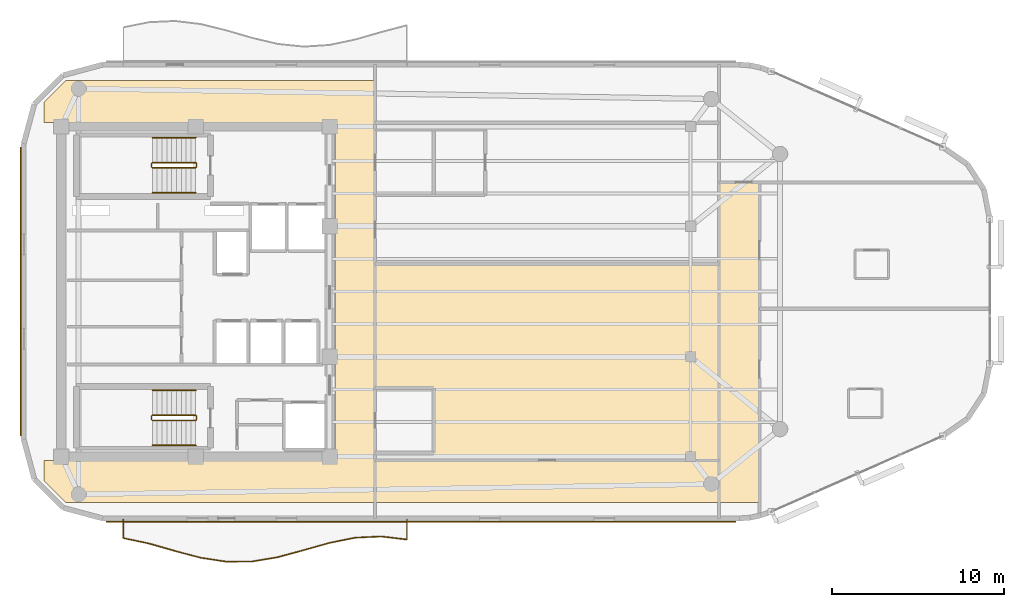
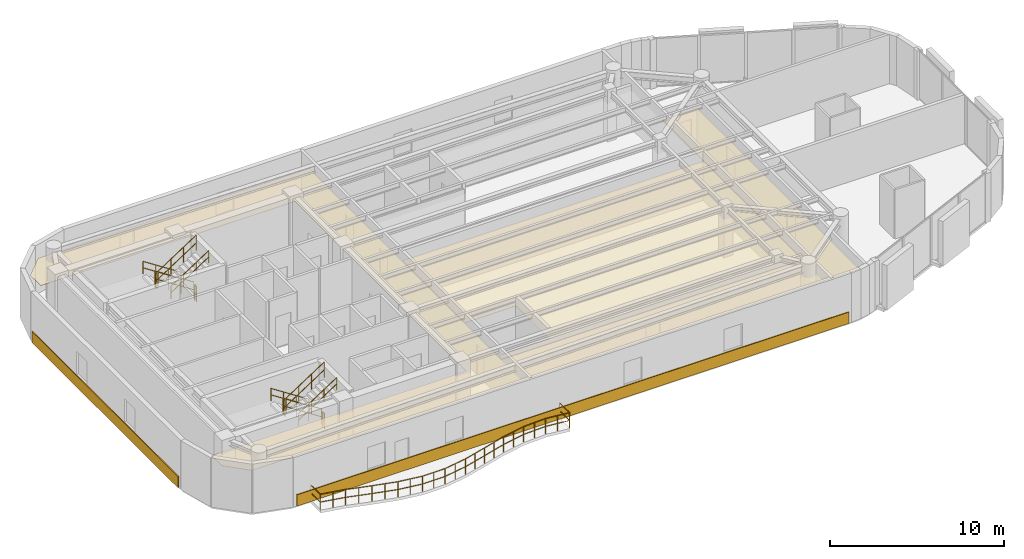
# One storey, part 11 of 12: 13 railings, 4 coverings.
"""IFC4 building model written with IfcOpenShell, lengths in metres."""

from ifc_helpers import new_model, si_unit, direction, frame, origin, origin_2d, place, context, subcontext, project, spatial, polyline, rectangle, circle, outline, extrude, material, layer, layer_set, type_object, element, save


model = new_model("IFC4")

# Units and contexts
model_context = context("Model", 3, precision=1e-05, world=origin(), true_north=direction((0.0, 1.0)))
body_context = subcontext(model_context, "Body", "Model", "MODEL_VIEW")
ifc_project = project(units=[si_unit("LENGTHUNIT", "METRE"), si_unit("AREAUNIT", "SQUARE_METRE"), si_unit("VOLUMEUNIT", "CUBIC_METRE"), si_unit("PLANEANGLEUNIT", "RADIAN"), si_unit("MASSUNIT", "GRAM", prefix="KILO")], contexts=[model_context])

# Site, building, storey
site_placement = place(None, origin())
site = spatial("IfcSite", under=ifc_project, at=site_placement, CompositionType="ELEMENT")
building_placement = place(site_placement, origin())
building = spatial("IfcBuilding", under=site, at=building_placement, Name="An Khanh Terracotta Commons", CompositionType="ELEMENT")
storey_placement = place(building_placement, frame((0.0, 0.0, 262.449951171875)))
storey = spatial("IfcBuildingStorey", under=building, at=storey_placement, Name="L68", CompositionType="ELEMENT", Elevation=262.449951171875)

# Coverings
ifc_material_1 = material(Name="Perforated Mineral-Fibre Acoustic Tile")
ifc_layer_1 = layer(ifc_material_1, 0.02001953125, Name="Perforated Mineral-Fibre Acoustic Tile")
ifc_layer_set_1 = layer_set([ifc_layer_1], Name="Perforated Mineral-Fibre Acoustic Tile")
covering_type_1 = type_object("IfcCoveringType", Name="CEIL-ACOUSTIC-18", PredefinedType="CEILING", material=ifc_layer_set_1)
covering_1_placement = place(storey_placement, frame((0.0, 0.0, 2.650146484375)))
element("IfcCovering", 1, at=covering_1_placement, inside=storey, type_object=covering_type_1, Name="L68 Corridor Ceiling", PredefinedType="CEILING", context=body_context, shape_type="SweptSolid", body=[
    extrude(outline(polyline([(59.85009765625, 30.35009765625), (62.199951171875, 30.35009765625), (62.199951171875, 14.179931640625), (62.199951171875, 11.719970703125), (59.85009765625, 11.719970703125), (39.85009765625, 11.719970703125), (37.5, 11.719970703125), (21.84912109375, 11.719970703125), (20.60009765625, 12.968994140625), (20.60009765625, 14.179931640625), (37.5, 14.179931640625), (37.5, 33.820068359375), (20.60009765625, 33.820068359375), (20.60009765625, 35.031005859375), (21.84912109375, 36.280029296875), (37.5, 36.280029296875), (39.85009765625, 36.280029296875), (39.85009765625, 33.820068359375), (39.85009765625, 14.179931640625), (59.85009765625, 14.179931640625), (59.85009765625, 30.35009765625)])), origin(), (0.0, 0.0, 1.0), 0.02001953125),
])
covering_2_placement = place(storey_placement, frame((0.0, 0.0, 2.650146484375)))
element("IfcCovering", 2, at=covering_2_placement, inside=storey, type_object=covering_type_1, Name="L68 Riverfront Reading Hall Ceiling", PredefinedType="CEILING", context=body_context, shape_type="SweptSolid", body=[
    extrude(outline(polyline([(59.85009765625, 14.179931640625), (39.85009765625, 14.179931640625), (39.85009765625, 14.60009765625), (43.25, 14.60009765625), (43.25, 18.39990234375), (39.85009765625, 18.39990234375), (39.85009765625, 25.60009765625), (59.85009765625, 25.60009765625), (59.85009765625, 14.179931640625)])), origin(), (0.0, 0.0, 1.0), 0.02001953125),
])
ifc_material_2 = material(Name="Fired Terracotta Rainscreen Cladding", Category="masonry")
ifc_layer_2 = layer(ifc_material_2, 0.06005859375, Name="Fired Terracotta Rainscreen Cladding")
ifc_layer_set_2 = layer_set([ifc_layer_2], Name="Fired Terracotta Rainscreen Cladding")
covering_type_2 = type_object("IfcCoveringType", Name="COV-SPANDREL-TERRA", PredefinedType="CLADDING", material=ifc_layer_set_2)
covering_3_placement = place(storey_placement, frame((42.514892578125, 10.6201171875, 0.02001953125), z_axis=(0.0, 0.0, 1.0), x_axis=(1.0, 0.0, 0.0)))
element("IfcCovering", 3, at=covering_3_placement, inside=storey, type_object=covering_type_2, Name="L68 Terracotta Spandrel Cladding 4", PredefinedType="CLADDING", context=body_context, shape_type="SweptSolid", body=[
    extrude(rectangle(XDim=36.6298828125, YDim=0.06005859375, at=origin_2d()), origin(), (0.0, 0.0, 1.0), 0.800048828125),
])
covering_4_placement = place(storey_placement, frame((19.219970703125, 24.0, 0.02001953125), z_axis=(0.0, 0.0, 1.0), x_axis=(0.0, -1.0, 0.0)))
element("IfcCovering", 4, at=covering_4_placement, inside=storey, type_object=covering_type_2, Name="L68 Terracotta Spandrel Cladding 24", PredefinedType="CLADDING", context=body_context, shape_type="SweptSolid", body=[
    extrude(rectangle(XDim=16.800048828125, YDim=0.06005859375, at=origin_2d()), origin(), (0.0, 0.0, 1.0), 0.800048828125),
])

# Railings
ifc_material_3 = material(Name="Brushed Stainless Steel 316", Category="steel")
railing_type_1 = type_object("IfcRailingType", Name="RAIL-BALUSTRADE-1100", PredefinedType="BALUSTRADE", material=ifc_material_3)
railing_1_placement = place(storey_placement, frame((25.199951171875, 10.739990234375, 0.0)))
element("IfcRailing", 5, at=railing_1_placement, inside=storey, type_object=railing_type_1, Name="L68 S Wave Balcony Guard Balustrade", PredefinedType="BALUSTRADE", context=body_context, shape_type="SweptSolid", body=[
    extrude(circle(Radius=0.02392578125, at=origin_2d()), frame((0.0, 0.0, 1.076171875), z_axis=(0.0, -1.0, 0.0), x_axis=(1.0, 0.0, 0.0)), (0.0, 0.0, 1.0), 1.080078125),
    extrude(circle(Radius=0.02392578125, at=origin_2d()), frame((0.0, 0.0, 0.52587890625), z_axis=(0.0, -1.0, 0.0), x_axis=(1.0, 0.0, 0.0)), (0.0, 0.0, 1.0), 1.080078125),
    extrude(circle(Radius=0.02392578125, at=origin_2d()), frame((0.0, -1.080078125, 1.076171875), z_axis=(0.978275241205, -0.207310280607, 0.0), x_axis=(0.207310280607, 0.978275241205, 0.0)), (0.0, 0.0, 1.0), 1.533203125),
    extrude(circle(Radius=0.02392578125, at=origin_2d()), frame((0.0, -1.080078125, 0.52587890625), z_axis=(0.978275241205, -0.207310280607, 0.0), x_axis=(0.207310280607, 0.978275241205, 0.0)), (0.0, 0.0, 1.0), 1.533203125),
    extrude(circle(Radius=0.02392578125, at=origin_2d()), frame((1.5, -1.39794921875, 1.076171875), z_axis=(0.961293347262, -0.275526950607, 0.0), x_axis=(0.275526950607, 0.961293347262, 0.0)), (0.0, 0.0, 1.0), 1.560302734375),
    extrude(circle(Radius=0.02392578125, at=origin_2d()), frame((1.5, -1.39794921875, 0.52587890625), z_axis=(0.961293347262, -0.275526950607, 0.0), x_axis=(0.275526950607, 0.961293347262, 0.0)), (0.0, 0.0, 1.0), 1.560302734375),
    extrude(circle(Radius=0.02392578125, at=origin_2d()), frame((3.0, -1.827880859375, 1.076171875), z_axis=(0.966680039045, -0.255987699142, 0.0), x_axis=(0.255987699142, 0.966680039045, 0.0)), (0.0, 0.0, 1.0), 1.5517578125),
    extrude(circle(Radius=0.02392578125, at=origin_2d()), frame((3.0, -1.827880859375, 0.52587890625), z_axis=(0.966680039045, -0.255987699142, 0.0), x_axis=(0.255987699142, 0.966680039045, 0.0)), (0.0, 0.0, 1.0), 1.5517578125),
    extrude(circle(Radius=0.02392578125, at=origin_2d()), frame((4.5, -2.22509765625, 1.076171875), z_axis=(0.988545890906, -0.15092058035, 0.0), x_axis=(0.15092058035, 0.988545890906, 0.0)), (0.0, 0.0, 1.0), 1.517333984375),
    extrude(circle(Radius=0.02392578125, at=origin_2d()), frame((4.5, -2.22509765625, 0.52587890625), z_axis=(0.988545890906, -0.15092058035, 0.0), x_axis=(0.15092058035, 0.988545890906, 0.0)), (0.0, 0.0, 1.0), 1.517333984375),
    extrude(circle(Radius=0.02392578125, at=origin_2d()), frame((6.0, -2.4541015625, 1.076171875), z_axis=(0.999955445195, 0.009439683565, 0.0), x_axis=(-0.009439683565, 0.999955445195, 0.0)), (0.0, 0.0, 1.0), 1.5),
    extrude(circle(Radius=0.02392578125, at=origin_2d()), frame((6.0, -2.4541015625, 0.52587890625), z_axis=(0.999955445195, 0.009439683565, 0.0), x_axis=(-0.009439683565, 0.999955445195, 0.0)), (0.0, 0.0, 1.0), 1.5),
    extrude(circle(Radius=0.02392578125, at=origin_2d()), frame((7.5, -2.43994140625, 1.076171875), z_axis=(0.986079829755, 0.16627257546, 0.0), x_axis=(-0.16627257546, 0.986079829755, 0.0)), (0.0, 0.0, 1.0), 1.521240234375),
    extrude(circle(Radius=0.02392578125, at=origin_2d()), frame((7.5, -2.43994140625, 0.52587890625), z_axis=(0.986079829755, 0.16627257546, 0.0), x_axis=(-0.16627257546, 0.986079829755, 0.0)), (0.0, 0.0, 1.0), 1.521240234375),
    extrude(circle(Radius=0.02392578125, at=origin_2d()), frame((9.0, -2.18701171875, 1.076171875), z_axis=(0.964948425307, 0.262439586375, 0.0), x_axis=(-0.262439586375, 0.964948425307, 0.0)), (0.0, 0.0, 1.0), 1.554443359375),
    extrude(circle(Radius=0.02392578125, at=origin_2d()), frame((9.0, -2.18701171875, 0.52587890625), z_axis=(0.964948425307, 0.262439586375, 0.0), x_axis=(-0.262439586375, 0.964948425307, 0.0)), (0.0, 0.0, 1.0), 1.554443359375),
    extrude(circle(Radius=0.02392578125, at=origin_2d()), frame((10.5, -1.779052734375, 1.076171875), z_axis=(0.962282666556, 0.272051593719, 0.0), x_axis=(-0.272051593719, 0.962282666556, 0.0)), (0.0, 0.0, 1.0), 1.558837890625),
    extrude(circle(Radius=0.02392578125, at=origin_2d()), frame((10.5, -1.779052734375, 0.52587890625), z_axis=(0.962282666556, 0.272051593719, 0.0), x_axis=(-0.272051593719, 0.962282666556, 0.0)), (0.0, 0.0, 1.0), 1.558837890625),
    extrude(circle(Radius=0.02392578125, at=origin_2d()), frame((12.0, -1.35498046875, 1.076171875), z_axis=(0.980819402607, 0.194918699639, 0.0), x_axis=(-0.194918699639, 0.980819402607, 0.0)), (0.0, 0.0, 1.0), 1.529296875),
    extrude(circle(Radius=0.02392578125, at=origin_2d()), frame((12.0, -1.35498046875, 0.52587890625), z_axis=(0.980819402607, 0.194918699639, 0.0), x_axis=(-0.194918699639, 0.980819402607, 0.0)), (0.0, 0.0, 1.0), 1.529296875),
    extrude(circle(Radius=0.02392578125, at=origin_2d()), frame((13.5, -1.056884765625, 1.076171875), z_axis=(0.998887913276, 0.047148029761, 0.0), x_axis=(-0.047148029761, 0.998887913276, 0.0)), (0.0, 0.0, 1.0), 1.501708984375),
    extrude(circle(Radius=0.02392578125, at=origin_2d()), frame((13.5, -1.056884765625, 0.52587890625), z_axis=(0.998887913276, 0.047148029761, 0.0), x_axis=(-0.047148029761, 0.998887913276, 0.0)), (0.0, 0.0, 1.0), 1.501708984375),
    extrude(circle(Radius=0.02392578125, at=origin_2d()), frame((15.0, -0.986083984375, 1.076171875), z_axis=(0.99288219023, -0.11910061429, 0.0), x_axis=(0.11910061429, 0.99288219023, 0.0)), (0.0, 0.0, 1.0), 1.5107421875),
    extrude(circle(Radius=0.02392578125, at=origin_2d()), frame((15.0, -0.986083984375, 0.52587890625), z_axis=(0.99288219023, -0.11910061429, 0.0), x_axis=(0.11910061429, 0.99288219023, 0.0)), (0.0, 0.0, 1.0), 1.5107421875),
    extrude(circle(Radius=0.02392578125, at=origin_2d()), frame((16.5, -1.166015625, 1.076171875), z_axis=(0.0, 1.0, 0.0), x_axis=(-1.0, 0.0, 0.0)), (0.0, 0.0, 1.0), 1.166015625),
    extrude(circle(Radius=0.02392578125, at=origin_2d()), frame((16.5, -1.166015625, 0.52587890625), z_axis=(0.0, 1.0, 0.0), x_axis=(-1.0, 0.0, 0.0)), (0.0, 0.0, 1.0), 1.166015625),
    extrude(circle(Radius=0.02099609375, at=origin_2d()), origin(), (0.0, 0.0, 1.0), 1.052001953125),
    extrude(circle(Radius=0.02099609375, at=origin_2d()), frame((0.0, -1.080078125, 0.0)), (0.0, 0.0, 1.0), 1.052001953125),
    extrude(circle(Radius=0.02099609375, at=origin_2d()), frame((0.75, -1.239013671875, 0.0)), (0.0, 0.0, 1.0), 1.052001953125),
    extrude(circle(Radius=0.02099609375, at=origin_2d()), frame((1.5, -1.39794921875, 0.0)), (0.0, 0.0, 1.0), 1.052001953125),
    extrude(circle(Radius=0.02099609375, at=origin_2d()), frame((2.25, -1.61279296875, 0.0)), (0.0, 0.0, 1.0), 1.052001953125),
    extrude(circle(Radius=0.02099609375, at=origin_2d()), frame((3.0, -1.827880859375, 0.0)), (0.0, 0.0, 1.0), 1.052001953125),
    extrude(circle(Radius=0.02099609375, at=origin_2d()), frame((3.75, -2.0263671875, 0.0)), (0.0, 0.0, 1.0), 1.052001953125),
    extrude(circle(Radius=0.02099609375, at=origin_2d()), frame((4.5, -2.22509765625, 0.0)), (0.0, 0.0, 1.0), 1.052001953125),
    extrude(circle(Radius=0.02099609375, at=origin_2d()), frame((5.25, -2.339599609375, 0.0)), (0.0, 0.0, 1.0), 1.052001953125),
    extrude(circle(Radius=0.02099609375, at=origin_2d()), frame((6.0, -2.4541015625, 0.0)), (0.0, 0.0, 1.0), 1.052001953125),
    extrude(circle(Radius=0.02099609375, at=origin_2d()), frame((6.75, -2.447021484375, 0.0)), (0.0, 0.0, 1.0), 1.052001953125),
    extrude(circle(Radius=0.02099609375, at=origin_2d()), frame((7.5, -2.43994140625, 0.0)), (0.0, 0.0, 1.0), 1.052001953125),
    extrude(circle(Radius=0.02099609375, at=origin_2d()), frame((8.25, -2.3134765625, 0.0)), (0.0, 0.0, 1.0), 1.052001953125),
    extrude(circle(Radius=0.02099609375, at=origin_2d()), frame((9.0, -2.18701171875, 0.0)), (0.0, 0.0, 1.0), 1.052001953125),
    extrude(circle(Radius=0.02099609375, at=origin_2d()), frame((9.75, -1.98291015625, 0.0)), (0.0, 0.0, 1.0), 1.052001953125),
    extrude(circle(Radius=0.02099609375, at=origin_2d()), frame((10.5, -1.779052734375, 0.0)), (0.0, 0.0, 1.0), 1.052001953125),
    extrude(circle(Radius=0.02099609375, at=origin_2d()), frame((11.25, -1.56689453125, 0.0)), (0.0, 0.0, 1.0), 1.052001953125),
    extrude(circle(Radius=0.02099609375, at=origin_2d()), frame((12.0, -1.35498046875, 0.0)), (0.0, 0.0, 1.0), 1.052001953125),
    extrude(circle(Radius=0.02099609375, at=origin_2d()), frame((12.75, -1.2060546875, 0.0)), (0.0, 0.0, 1.0), 1.052001953125),
    extrude(circle(Radius=0.02099609375, at=origin_2d()), frame((13.5, -1.056884765625, 0.0)), (0.0, 0.0, 1.0), 1.052001953125),
    extrude(circle(Radius=0.02099609375, at=origin_2d()), frame((14.25, -1.021484375, 0.0)), (0.0, 0.0, 1.0), 1.052001953125),
    extrude(circle(Radius=0.02099609375, at=origin_2d()), frame((15.0, -0.986083984375, 0.0)), (0.0, 0.0, 1.0), 1.052001953125),
    extrude(circle(Radius=0.02099609375, at=origin_2d()), frame((15.75, -1.076171875, 0.0)), (0.0, 0.0, 1.0), 1.052001953125),
    extrude(circle(Radius=0.02099609375, at=origin_2d()), frame((16.5, -1.166015625, 0.0)), (0.0, 0.0, 1.0), 1.052001953125),
    extrude(circle(Radius=0.02099609375, at=origin_2d()), frame((16.5, 0.0, 0.0)), (0.0, 0.0, 1.0), 1.052001953125),
])
railing_type_2 = type_object("IfcRailingType", Name="RAIL-HANDRAIL-900", PredefinedType="HANDRAIL", material=ifc_material_3)
railing_2_placement = place(storey_placement, frame((29.409912109375, 32.949951171875, 0.1826171875)))
element("IfcRailing", 6, at=railing_2_placement, inside=storey, type_object=railing_type_2, Name="L68 ST-01 stair handrail 1", PredefinedType="HANDRAIL", context=body_context, shape_type="SweptSolid", body=[
    extrude(circle(Radius=0.02392578125, at=origin_2d()), frame((0.0, 0.0, 0.8759765625), z_axis=(-0.837786554691, 0.0, 0.545997883492), x_axis=(0.0, -1.0, 0.0)), (0.0, 0.0, 1.0), 3.008056640625),
    extrude(circle(Radius=0.02392578125, at=origin_2d()), frame((0.0, 0.0, 0.42578125), z_axis=(-0.837786554691, 0.0, 0.545997883492), x_axis=(0.0, -1.0, 0.0)), (0.0, 0.0, 1.0), 3.008056640625),
    extrude(circle(Radius=0.02099609375, at=origin_2d()), origin(), (0.0, 0.0, 1.0), 0.851806640625),
    extrude(circle(Radius=0.02099609375, at=origin_2d()), frame((-0.840087890625, 0.0, 0.54736328125)), (0.0, 0.0, 1.0), 0.851806640625),
    extrude(circle(Radius=0.02099609375, at=origin_2d()), frame((-1.679931640625, 0.0, 1.094970703125)), (0.0, 0.0, 1.0), 0.851806640625),
    extrude(circle(Radius=0.02099609375, at=origin_2d()), frame((-2.52001953125, 0.0, 1.642333984375)), (0.0, 0.0, 1.0), 0.851806640625),
])
railing_3_placement = place(storey_placement, frame((26.889892578125, 29.75, 2.007568359375)))
element("IfcRailing", 7, at=railing_3_placement, inside=storey, type_object=railing_type_2, Name="L68 ST-01 stair handrail 2", PredefinedType="HANDRAIL", context=body_context, shape_type="SweptSolid", body=[
    extrude(circle(Radius=0.02392578125, at=origin_2d()), frame((0.0, 0.0, 0.8759765625), z_axis=(0.837749427056, 0.0, 0.546054848405), x_axis=(0.0, 1.0, 0.0)), (0.0, 0.0, 1.0), 3.008056640625),
    extrude(circle(Radius=0.02392578125, at=origin_2d()), frame((0.0, 0.0, 0.42578125), z_axis=(0.837749427056, 0.0, 0.546054848405), x_axis=(0.0, 1.0, 0.0)), (0.0, 0.0, 1.0), 3.008056640625),
    extrude(circle(Radius=0.02099609375, at=origin_2d()), origin(), (0.0, 0.0, 1.0), 0.851806640625),
    extrude(circle(Radius=0.02099609375, at=origin_2d()), frame((0.840087890625, 0.0, 0.547607421875)), (0.0, 0.0, 1.0), 0.851806640625),
    extrude(circle(Radius=0.02099609375, at=origin_2d()), frame((1.679931640625, 0.0, 1.094970703125)), (0.0, 0.0, 1.0), 0.851806640625),
    extrude(circle(Radius=0.02099609375, at=origin_2d()), frame((2.52001953125, 0.0, 1.642578125)), (0.0, 0.0, 1.0), 0.851806640625),
])
railing_4_placement = place(storey_placement, frame((29.409912109375, 18.25, 0.1826171875)))
element("IfcRailing", 8, at=railing_4_placement, inside=storey, type_object=railing_type_2, Name="L68 ST-02 stair handrail 1", PredefinedType="HANDRAIL", context=body_context, shape_type="SweptSolid", body=[
    extrude(circle(Radius=0.02392578125, at=origin_2d()), frame((0.0, 0.0, 0.8759765625), z_axis=(-0.837786554691, 0.0, 0.545997883492), x_axis=(0.0, -1.0, 0.0)), (0.0, 0.0, 1.0), 3.008056640625),
    extrude(circle(Radius=0.02392578125, at=origin_2d()), frame((0.0, 0.0, 0.42578125), z_axis=(-0.837786554691, 0.0, 0.545997883492), x_axis=(0.0, -1.0, 0.0)), (0.0, 0.0, 1.0), 3.008056640625),
    extrude(circle(Radius=0.02099609375, at=origin_2d()), origin(), (0.0, 0.0, 1.0), 0.851806640625),
    extrude(circle(Radius=0.02099609375, at=origin_2d()), frame((-0.840087890625, 0.0, 0.54736328125)), (0.0, 0.0, 1.0), 0.851806640625),
    extrude(circle(Radius=0.02099609375, at=origin_2d()), frame((-1.679931640625, 0.0, 1.094970703125)), (0.0, 0.0, 1.0), 0.851806640625),
    extrude(circle(Radius=0.02099609375, at=origin_2d()), frame((-2.52001953125, 0.0, 1.642333984375)), (0.0, 0.0, 1.0), 0.851806640625),
])
railing_5_placement = place(storey_placement, frame((26.889892578125, 15.050048828125, 2.007568359375)))
element("IfcRailing", 9, at=railing_5_placement, inside=storey, type_object=railing_type_2, Name="L68 ST-02 stair handrail 2", PredefinedType="HANDRAIL", context=body_context, shape_type="SweptSolid", body=[
    extrude(circle(Radius=0.02392578125, at=origin_2d()), frame((0.0, 0.0, 0.8759765625), z_axis=(0.837749427056, 0.0, 0.546054848405), x_axis=(0.0, 1.0, 0.0)), (0.0, 0.0, 1.0), 3.008056640625),
    extrude(circle(Radius=0.02392578125, at=origin_2d()), frame((0.0, 0.0, 0.42578125), z_axis=(0.837749427056, 0.0, 0.546054848405), x_axis=(0.0, 1.0, 0.0)), (0.0, 0.0, 1.0), 3.008056640625),
    extrude(circle(Radius=0.02099609375, at=origin_2d()), origin(), (0.0, 0.0, 1.0), 0.851806640625),
    extrude(circle(Radius=0.02099609375, at=origin_2d()), frame((0.840087890625, 0.0, 0.547607421875)), (0.0, 0.0, 1.0), 0.851806640625),
    extrude(circle(Radius=0.02099609375, at=origin_2d()), frame((1.679931640625, 0.0, 1.094970703125)), (0.0, 0.0, 1.0), 0.851806640625),
    extrude(circle(Radius=0.02099609375, at=origin_2d()), frame((2.52001953125, 0.0, 1.642578125)), (0.0, 0.0, 1.0), 0.851806640625),
])
ifc_material_4 = material(Name="Powder-Coated Steel S355J2", Category="steel")
railing_type_3 = type_object("IfcRailingType", Name="RAIL-STAIR-GUARD-1100", PredefinedType="BALUSTRADE", material=ifc_material_4)
railing_6_placement = place(storey_placement, frame((29.409912109375, 31.5, 0.1826171875)))
element("IfcRailing", 10, at=railing_6_placement, inside=storey, type_object=railing_type_3, Name="L68 ST-01 stair guard 1", PredefinedType="BALUSTRADE", context=body_context, shape_type="SweptSolid", body=[
    extrude(circle(Radius=0.02392578125, at=origin_2d()), frame((0.0, 0.0, 1.076171875), z_axis=(-0.837786554691, 0.0, 0.545997883492), x_axis=(0.0, -1.0, 0.0)), (0.0, 0.0, 1.0), 3.008056640625),
    extrude(circle(Radius=0.02392578125, at=origin_2d()), frame((0.0, 0.0, 0.52587890625), z_axis=(-0.837786554691, 0.0, 0.545997883492), x_axis=(0.0, -1.0, 0.0)), (0.0, 0.0, 1.0), 3.008056640625),
    extrude(circle(Radius=0.02099609375, at=origin_2d()), origin(), (0.0, 0.0, 1.0), 1.052001953125),
    extrude(circle(Radius=0.02099609375, at=origin_2d()), frame((-0.840087890625, 0.0, 0.54736328125)), (0.0, 0.0, 1.0), 1.052001953125),
    extrude(circle(Radius=0.02099609375, at=origin_2d()), frame((-1.679931640625, 0.0, 1.094970703125)), (0.0, 0.0, 1.0), 1.052001953125),
    extrude(circle(Radius=0.02099609375, at=origin_2d()), frame((-2.52001953125, 0.0, 1.642333984375)), (0.0, 0.0, 1.0), 1.052001953125),
])
railing_7_placement = place(storey_placement, frame((26.840087890625, 31.449951171875, 1.824951171875)))
element("IfcRailing", 11, at=railing_7_placement, inside=storey, type_object=railing_type_3, Name="L68 ST-01 stair guard 2", PredefinedType="BALUSTRADE", context=body_context, shape_type="SweptSolid", body=[
    extrude(circle(Radius=0.02392578125, at=origin_2d()), frame((0.0, 0.0, 1.076171875), z_axis=(0.0, -1.0, 0.0), x_axis=(1.0, 0.0, 0.0)), (0.0, 0.0, 1.0), 0.199951171875),
    extrude(circle(Radius=0.02392578125, at=origin_2d()), frame((0.0, 0.0, 0.52587890625), z_axis=(0.0, -1.0, 0.0), x_axis=(1.0, 0.0, 0.0)), (0.0, 0.0, 1.0), 0.199951171875),
    extrude(circle(Radius=0.02099609375, at=origin_2d()), origin(), (0.0, 0.0, 1.0), 1.052001953125),
    extrude(circle(Radius=0.02099609375, at=origin_2d()), frame((0.0, -0.199951171875, 0.0)), (0.0, 0.0, 1.0), 1.052001953125),
])
railing_8_placement = place(storey_placement, frame((26.889892578125, 31.199951171875, 2.007568359375)))
element("IfcRailing", 12, at=railing_8_placement, inside=storey, type_object=railing_type_3, Name="L68 ST-01 stair guard 3", PredefinedType="BALUSTRADE", context=body_context, shape_type="SweptSolid", body=[
    extrude(circle(Radius=0.02392578125, at=origin_2d()), frame((0.0, 0.0, 1.076171875), z_axis=(0.837749427056, 0.0, 0.546054848405), x_axis=(0.0, 1.0, 0.0)), (0.0, 0.0, 1.0), 3.008056640625),
    extrude(circle(Radius=0.02392578125, at=origin_2d()), frame((0.0, 0.0, 0.52587890625), z_axis=(0.837749427056, 0.0, 0.546054848405), x_axis=(0.0, 1.0, 0.0)), (0.0, 0.0, 1.0), 3.008056640625),
    extrude(circle(Radius=0.02099609375, at=origin_2d()), origin(), (0.0, 0.0, 1.0), 1.052001953125),
    extrude(circle(Radius=0.02099609375, at=origin_2d()), frame((0.840087890625, 0.0, 0.547607421875)), (0.0, 0.0, 1.0), 1.052001953125),
    extrude(circle(Radius=0.02099609375, at=origin_2d()), frame((1.679931640625, 0.0, 1.094970703125)), (0.0, 0.0, 1.0), 1.052001953125),
    extrude(circle(Radius=0.02099609375, at=origin_2d()), frame((2.52001953125, 0.0, 1.642578125)), (0.0, 0.0, 1.0), 1.052001953125),
])
railing_9_placement = place(storey_placement, frame((29.4599609375, 31.449951171875, 0.0)))
element("IfcRailing", 13, at=railing_9_placement, inside=storey, type_object=railing_type_3, Name="L68 ST-01 stair guard 4", PredefinedType="BALUSTRADE", context=body_context, shape_type="SweptSolid", body=[
    extrude(circle(Radius=0.02392578125, at=origin_2d()), frame((0.0, 0.0, 1.076171875), z_axis=(0.0, -1.0, 0.0), x_axis=(1.0, 0.0, 0.0)), (0.0, 0.0, 1.0), 0.199951171875),
    extrude(circle(Radius=0.02392578125, at=origin_2d()), frame((0.0, 0.0, 0.52587890625), z_axis=(0.0, -1.0, 0.0), x_axis=(1.0, 0.0, 0.0)), (0.0, 0.0, 1.0), 0.199951171875),
    extrude(circle(Radius=0.02099609375, at=origin_2d()), origin(), (0.0, 0.0, 1.0), 1.052001953125),
    extrude(circle(Radius=0.02099609375, at=origin_2d()), frame((0.0, -0.199951171875, 0.0)), (0.0, 0.0, 1.0), 1.052001953125),
])
railing_10_placement = place(storey_placement, frame((29.409912109375, 16.800048828125, 0.1826171875)))
element("IfcRailing", 14, at=railing_10_placement, inside=storey, type_object=railing_type_3, Name="L68 ST-02 stair guard 1", PredefinedType="BALUSTRADE", context=body_context, shape_type="SweptSolid", body=[
    extrude(circle(Radius=0.02392578125, at=origin_2d()), frame((0.0, 0.0, 1.076171875), z_axis=(-0.837786554691, 0.0, 0.545997883492), x_axis=(0.0, -1.0, 0.0)), (0.0, 0.0, 1.0), 3.008056640625),
    extrude(circle(Radius=0.02392578125, at=origin_2d()), frame((0.0, 0.0, 0.52587890625), z_axis=(-0.837786554691, 0.0, 0.545997883492), x_axis=(0.0, -1.0, 0.0)), (0.0, 0.0, 1.0), 3.008056640625),
    extrude(circle(Radius=0.02099609375, at=origin_2d()), origin(), (0.0, 0.0, 1.0), 1.052001953125),
    extrude(circle(Radius=0.02099609375, at=origin_2d()), frame((-0.840087890625, 0.0, 0.54736328125)), (0.0, 0.0, 1.0), 1.052001953125),
    extrude(circle(Radius=0.02099609375, at=origin_2d()), frame((-1.679931640625, 0.0, 1.094970703125)), (0.0, 0.0, 1.0), 1.052001953125),
    extrude(circle(Radius=0.02099609375, at=origin_2d()), frame((-2.52001953125, 0.0, 1.642333984375)), (0.0, 0.0, 1.0), 1.052001953125),
])
railing_11_placement = place(storey_placement, frame((26.840087890625, 16.75, 1.824951171875)))
element("IfcRailing", 15, at=railing_11_placement, inside=storey, type_object=railing_type_3, Name="L68 ST-02 stair guard 2", PredefinedType="BALUSTRADE", context=body_context, shape_type="SweptSolid", body=[
    extrude(circle(Radius=0.02392578125, at=origin_2d()), frame((0.0, 0.0, 1.076171875), z_axis=(0.0, -1.0, 0.0), x_axis=(1.0, 0.0, 0.0)), (0.0, 0.0, 1.0), 0.199951171875),
    extrude(circle(Radius=0.02392578125, at=origin_2d()), frame((0.0, 0.0, 0.52587890625), z_axis=(0.0, -1.0, 0.0), x_axis=(1.0, 0.0, 0.0)), (0.0, 0.0, 1.0), 0.199951171875),
    extrude(circle(Radius=0.02099609375, at=origin_2d()), origin(), (0.0, 0.0, 1.0), 1.052001953125),
    extrude(circle(Radius=0.02099609375, at=origin_2d()), frame((0.0, -0.199951171875, 0.0)), (0.0, 0.0, 1.0), 1.052001953125),
])
railing_12_placement = place(storey_placement, frame((26.889892578125, 16.5, 2.007568359375)))
element("IfcRailing", 16, at=railing_12_placement, inside=storey, type_object=railing_type_3, Name="L68 ST-02 stair guard 3", PredefinedType="BALUSTRADE", context=body_context, shape_type="SweptSolid", body=[
    extrude(circle(Radius=0.02392578125, at=origin_2d()), frame((0.0, 0.0, 1.076171875), z_axis=(0.837749427056, 0.0, 0.546054848405), x_axis=(0.0, 1.0, 0.0)), (0.0, 0.0, 1.0), 3.008056640625),
    extrude(circle(Radius=0.02392578125, at=origin_2d()), frame((0.0, 0.0, 0.52587890625), z_axis=(0.837749427056, 0.0, 0.546054848405), x_axis=(0.0, 1.0, 0.0)), (0.0, 0.0, 1.0), 3.008056640625),
    extrude(circle(Radius=0.02099609375, at=origin_2d()), origin(), (0.0, 0.0, 1.0), 1.052001953125),
    extrude(circle(Radius=0.02099609375, at=origin_2d()), frame((0.840087890625, 0.0, 0.547607421875)), (0.0, 0.0, 1.0), 1.052001953125),
    extrude(circle(Radius=0.02099609375, at=origin_2d()), frame((1.679931640625, 0.0, 1.094970703125)), (0.0, 0.0, 1.0), 1.052001953125),
    extrude(circle(Radius=0.02099609375, at=origin_2d()), frame((2.52001953125, 0.0, 1.642578125)), (0.0, 0.0, 1.0), 1.052001953125),
])
railing_13_placement = place(storey_placement, frame((29.4599609375, 16.75, 0.0)))
element("IfcRailing", 17, at=railing_13_placement, inside=storey, type_object=railing_type_3, Name="L68 ST-02 stair guard 4", PredefinedType="BALUSTRADE", context=body_context, shape_type="SweptSolid", body=[
    extrude(circle(Radius=0.02392578125, at=origin_2d()), frame((0.0, 0.0, 1.076171875), z_axis=(0.0, -1.0, 0.0), x_axis=(1.0, 0.0, 0.0)), (0.0, 0.0, 1.0), 0.199951171875),
    extrude(circle(Radius=0.02392578125, at=origin_2d()), frame((0.0, 0.0, 0.52587890625), z_axis=(0.0, -1.0, 0.0), x_axis=(1.0, 0.0, 0.0)), (0.0, 0.0, 1.0), 0.199951171875),
    extrude(circle(Radius=0.02099609375, at=origin_2d()), origin(), (0.0, 0.0, 1.0), 1.052001953125),
    extrude(circle(Radius=0.02099609375, at=origin_2d()), frame((0.0, -0.199951171875, 0.0)), (0.0, 0.0, 1.0), 1.052001953125),
])

save(model, "model.ifc")
